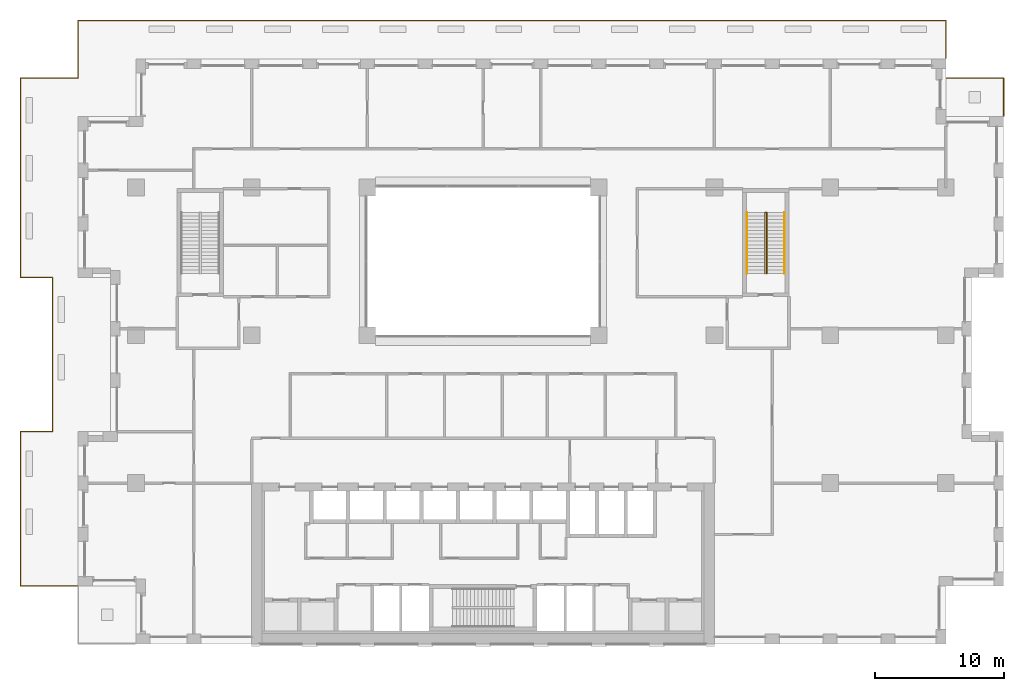
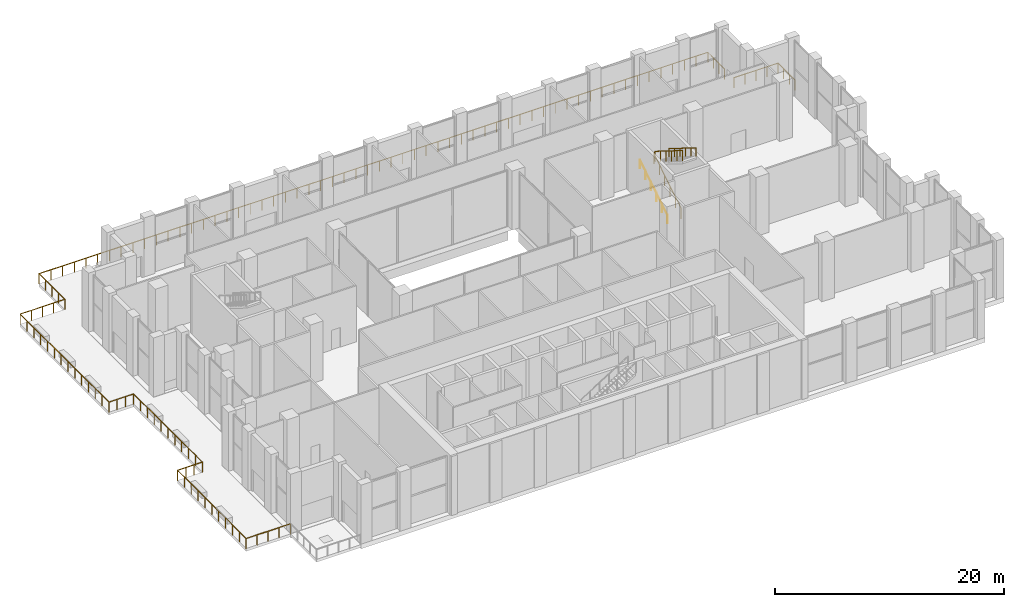
# One storey, part 20 of 21: 5 railings.
"""IFC4 building model written with IfcOpenShell, lengths in metres."""

from ifc_helpers import new_model, si_unit, direction, frame, origin, origin_2d, place, context, subcontext, project, spatial, circle, extrude, material, type_object, element, save


model = new_model("IFC4")

# Units and contexts
model_context = context("Model", 3, precision=1e-05, world=origin(), true_north=direction((0.0, 1.0)))
body_context = subcontext(model_context, "Body", "Model", "MODEL_VIEW")
ifc_project = project(units=[si_unit("LENGTHUNIT", "METRE"), si_unit("AREAUNIT", "SQUARE_METRE"), si_unit("VOLUMEUNIT", "CUBIC_METRE"), si_unit("PLANEANGLEUNIT", "RADIAN"), si_unit("MASSUNIT", "GRAM", prefix="KILO")], contexts=[model_context])

# Site, building, storey
site_placement = place(None, origin())
site = spatial("IfcSite", under=ifc_project, at=site_placement, CompositionType="ELEMENT")
building_placement = place(site_placement, origin())
building = spatial("IfcBuilding", under=site, at=building_placement, Name="Brigalow Station Residences", CompositionType="ELEMENT")
storey_placement = place(building_placement, frame((0.0, 0.0, 77.25)))
storey = spatial("IfcBuildingStorey", under=building, at=storey_placement, Name="L22", CompositionType="ELEMENT", Elevation=77.25)

# Railings
ifc_material_1 = material(Name="Stainless steel balustrade with laminated glass infill", Category="steel")
railing_type_1 = type_object("IfcRailingType", Name="BALCONY GUARD 1100", PredefinedType="GUARDRAIL", material=ifc_material_1)
railing_1_placement = place(storey_placement, frame((72.0, 45.550048828125, -0.0400390625)))
element("IfcRailing", 1, at=railing_1_placement, inside=storey, type_object=railing_type_1, Name="L22/terrace-guard/1-1", PredefinedType="GUARDRAIL", context=body_context, shape_type="SweptSolid", body=[
    extrude(circle(Radius=0.02392578125, at=origin_2d()), frame((0.0, 0.0, 1.076171875), z_axis=(0.0, 1.0, 0.0), x_axis=(-1.0, 0.0, 0.0)), (0.0, 0.0, 1.0), 2.949951171875),
    extrude(circle(Radius=0.02392578125, at=origin_2d()), frame((0.0, 2.949951171875, 1.076171875), z_axis=(-1.0, 0.0, 0.0), x_axis=(0.0, -1.0, 0.0)), (0.0, 0.0, 1.0), 67.5),
    extrude(circle(Radius=0.02392578125, at=origin_2d()), frame((-67.5, 2.949951171875, 1.076171875), z_axis=(0.0, -1.0, 0.0), x_axis=(1.0, 0.0, 0.0)), (0.0, 0.0, 1.0), 4.5),
    extrude(circle(Radius=0.02392578125, at=origin_2d()), frame((-67.5, -1.550048828125, 1.076171875), z_axis=(-1.0, 0.0, 0.0), x_axis=(0.0, -1.0, 0.0)), (0.0, 0.0, 1.0), 4.5),
    extrude(circle(Radius=0.02392578125, at=origin_2d()), frame((-72.0, -1.550048828125, 1.076171875), z_axis=(0.0, -1.0, 0.0), x_axis=(1.0, 0.0, 0.0)), (0.0, 0.0, 1.0), 15.5),
    extrude(circle(Radius=0.02392578125, at=origin_2d()), frame((-72.0, -17.050048828125, 1.076171875), z_axis=(1.0, 0.0, 0.0), x_axis=(0.0, 1.0, 0.0)), (0.0, 0.0, 1.0), 2.5),
    extrude(circle(Radius=0.02392578125, at=origin_2d()), frame((-69.5, -17.050048828125, 1.076171875), z_axis=(0.0, -1.0, 0.0), x_axis=(1.0, 0.0, 0.0)), (0.0, 0.0, 1.0), 12.0),
    extrude(circle(Radius=0.02392578125, at=origin_2d()), frame((-69.5, -29.050048828125, 1.076171875), z_axis=(-1.0, 0.0, 0.0), x_axis=(0.0, -1.0, 0.0)), (0.0, 0.0, 1.0), 2.5),
    extrude(circle(Radius=0.02392578125, at=origin_2d()), frame((-72.0, -29.050048828125, 1.076171875), z_axis=(0.0, -1.0, 0.0), x_axis=(1.0, 0.0, 0.0)), (0.0, 0.0, 1.0), 12.0),
    extrude(circle(Radius=0.02392578125, at=origin_2d()), frame((-72.0, -41.050048828125, 1.076171875), z_axis=(1.0, 0.0, 0.0), x_axis=(0.0, 1.0, 0.0)), (0.0, 0.0, 1.0), 4.449951171875),
    extrude(circle(Radius=0.02099609375, at=origin_2d()), origin(), (0.0, 0.0, 1.0), 1.052001953125),
    extrude(circle(Radius=0.02099609375, at=origin_2d()), frame((0.0, 0.9833984375, 0.0)), (0.0, 0.0, 1.0), 1.052001953125),
    extrude(circle(Radius=0.02099609375, at=origin_2d()), frame((0.0, 1.966552734375, 0.0)), (0.0, 0.0, 1.0), 1.052001953125),
    extrude(circle(Radius=0.02099609375, at=origin_2d()), frame((0.0, 2.949951171875, 0.0)), (0.0, 0.0, 1.0), 1.052001953125),
    extrude(circle(Radius=0.02099609375, at=origin_2d()), frame((-1.184326171875, 2.949951171875, 0.0)), (0.0, 0.0, 1.0), 1.052001953125),
    extrude(circle(Radius=0.02099609375, at=origin_2d()), frame((-2.368408203125, 2.949951171875, 0.0)), (0.0, 0.0, 1.0), 1.052001953125),
    extrude(circle(Radius=0.02099609375, at=origin_2d()), frame((-3.552734375, 2.949951171875, 0.0)), (0.0, 0.0, 1.0), 1.052001953125),
    extrude(circle(Radius=0.02099609375, at=origin_2d()), frame((-4.73681640625, 2.949951171875, 0.0)), (0.0, 0.0, 1.0), 1.052001953125),
    extrude(circle(Radius=0.02099609375, at=origin_2d()), frame((-5.921142578125, 2.949951171875, 0.0)), (0.0, 0.0, 1.0), 1.052001953125),
    extrude(circle(Radius=0.02099609375, at=origin_2d()), frame((-7.105224609375, 2.949951171875, 0.0)), (0.0, 0.0, 1.0), 1.052001953125),
    extrude(circle(Radius=0.02099609375, at=origin_2d()), frame((-8.28955078125, 2.949951171875, 0.0)), (0.0, 0.0, 1.0), 1.052001953125),
    extrude(circle(Radius=0.02099609375, at=origin_2d()), frame((-9.4736328125, 2.949951171875, 0.0)), (0.0, 0.0, 1.0), 1.052001953125),
    extrude(circle(Radius=0.02099609375, at=origin_2d()), frame((-10.657958984375, 2.949951171875, 0.0)), (0.0, 0.0, 1.0), 1.052001953125),
    extrude(circle(Radius=0.02099609375, at=origin_2d()), frame((-11.842041015625, 2.949951171875, 0.0)), (0.0, 0.0, 1.0), 1.052001953125),
    extrude(circle(Radius=0.02099609375, at=origin_2d()), frame((-13.0263671875, 2.949951171875, 0.0)), (0.0, 0.0, 1.0), 1.052001953125),
    extrude(circle(Radius=0.02099609375, at=origin_2d()), frame((-14.21044921875, 2.949951171875, 0.0)), (0.0, 0.0, 1.0), 1.052001953125),
    extrude(circle(Radius=0.02099609375, at=origin_2d()), frame((-15.394775390625, 2.949951171875, 0.0)), (0.0, 0.0, 1.0), 1.052001953125),
    extrude(circle(Radius=0.02099609375, at=origin_2d()), frame((-16.578857421875, 2.949951171875, 0.0)), (0.0, 0.0, 1.0), 1.052001953125),
    extrude(circle(Radius=0.02099609375, at=origin_2d()), frame((-17.76318359375, 2.949951171875, 0.0)), (0.0, 0.0, 1.0), 1.052001953125),
    extrude(circle(Radius=0.02099609375, at=origin_2d()), frame((-18.947265625, 2.949951171875, 0.0)), (0.0, 0.0, 1.0), 1.052001953125),
    extrude(circle(Radius=0.02099609375, at=origin_2d()), frame((-20.131591796875, 2.949951171875, 0.0)), (0.0, 0.0, 1.0), 1.052001953125),
    extrude(circle(Radius=0.02099609375, at=origin_2d()), frame((-21.315673828125, 2.949951171875, 0.0)), (0.0, 0.0, 1.0), 1.052001953125),
    extrude(circle(Radius=0.02099609375, at=origin_2d()), frame((-22.5, 2.949951171875, 0.0)), (0.0, 0.0, 1.0), 1.052001953125),
    extrude(circle(Radius=0.02099609375, at=origin_2d()), frame((-23.684326171875, 2.949951171875, 0.0)), (0.0, 0.0, 1.0), 1.052001953125),
    extrude(circle(Radius=0.02099609375, at=origin_2d()), frame((-24.868408203125, 2.949951171875, 0.0)), (0.0, 0.0, 1.0), 1.052001953125),
    extrude(circle(Radius=0.02099609375, at=origin_2d()), frame((-26.052734375, 2.949951171875, 0.0)), (0.0, 0.0, 1.0), 1.052001953125),
    extrude(circle(Radius=0.02099609375, at=origin_2d()), frame((-27.23681640625, 2.949951171875, 0.0)), (0.0, 0.0, 1.0), 1.052001953125),
    extrude(circle(Radius=0.02099609375, at=origin_2d()), frame((-28.421142578125, 2.949951171875, 0.0)), (0.0, 0.0, 1.0), 1.052001953125),
    extrude(circle(Radius=0.02099609375, at=origin_2d()), frame((-29.605224609375, 2.949951171875, 0.0)), (0.0, 0.0, 1.0), 1.052001953125),
    extrude(circle(Radius=0.02099609375, at=origin_2d()), frame((-30.78955078125, 2.949951171875, 0.0)), (0.0, 0.0, 1.0), 1.052001953125),
    extrude(circle(Radius=0.02099609375, at=origin_2d()), frame((-31.9736328125, 2.949951171875, 0.0)), (0.0, 0.0, 1.0), 1.052001953125),
    extrude(circle(Radius=0.02099609375, at=origin_2d()), frame((-33.157958984375, 2.949951171875, 0.0)), (0.0, 0.0, 1.0), 1.052001953125),
    extrude(circle(Radius=0.02099609375, at=origin_2d()), frame((-34.342041015625, 2.949951171875, 0.0)), (0.0, 0.0, 1.0), 1.052001953125),
    extrude(circle(Radius=0.02099609375, at=origin_2d()), frame((-35.5263671875, 2.949951171875, 0.0)), (0.0, 0.0, 1.0), 1.052001953125),
    extrude(circle(Radius=0.02099609375, at=origin_2d()), frame((-36.71044921875, 2.949951171875, 0.0)), (0.0, 0.0, 1.0), 1.052001953125),
    extrude(circle(Radius=0.02099609375, at=origin_2d()), frame((-37.894775390625, 2.949951171875, 0.0)), (0.0, 0.0, 1.0), 1.052001953125),
    extrude(circle(Radius=0.02099609375, at=origin_2d()), frame((-39.078857421875, 2.949951171875, 0.0)), (0.0, 0.0, 1.0), 1.052001953125),
    extrude(circle(Radius=0.02099609375, at=origin_2d()), frame((-40.26318359375, 2.949951171875, 0.0)), (0.0, 0.0, 1.0), 1.052001953125),
    extrude(circle(Radius=0.02099609375, at=origin_2d()), frame((-41.447265625, 2.949951171875, 0.0)), (0.0, 0.0, 1.0), 1.052001953125),
    extrude(circle(Radius=0.02099609375, at=origin_2d()), frame((-42.631591796875, 2.949951171875, 0.0)), (0.0, 0.0, 1.0), 1.052001953125),
    extrude(circle(Radius=0.02099609375, at=origin_2d()), frame((-43.815673828125, 2.949951171875, 0.0)), (0.0, 0.0, 1.0), 1.052001953125),
    extrude(circle(Radius=0.02099609375, at=origin_2d()), frame((-45.0, 2.949951171875, 0.0)), (0.0, 0.0, 1.0), 1.052001953125),
    extrude(circle(Radius=0.02099609375, at=origin_2d()), frame((-46.184326171875, 2.949951171875, 0.0)), (0.0, 0.0, 1.0), 1.052001953125),
    extrude(circle(Radius=0.02099609375, at=origin_2d()), frame((-47.368408203125, 2.949951171875, 0.0)), (0.0, 0.0, 1.0), 1.052001953125),
    extrude(circle(Radius=0.02099609375, at=origin_2d()), frame((-48.552734375, 2.949951171875, 0.0)), (0.0, 0.0, 1.0), 1.052001953125),
    extrude(circle(Radius=0.02099609375, at=origin_2d()), frame((-49.73681640625, 2.949951171875, 0.0)), (0.0, 0.0, 1.0), 1.052001953125),
    extrude(circle(Radius=0.02099609375, at=origin_2d()), frame((-50.921142578125, 2.949951171875, 0.0)), (0.0, 0.0, 1.0), 1.052001953125),
    extrude(circle(Radius=0.02099609375, at=origin_2d()), frame((-52.105224609375, 2.949951171875, 0.0)), (0.0, 0.0, 1.0), 1.052001953125),
    extrude(circle(Radius=0.02099609375, at=origin_2d()), frame((-53.28955078125, 2.949951171875, 0.0)), (0.0, 0.0, 1.0), 1.052001953125),
    extrude(circle(Radius=0.02099609375, at=origin_2d()), frame((-54.4736328125, 2.949951171875, 0.0)), (0.0, 0.0, 1.0), 1.052001953125),
    extrude(circle(Radius=0.02099609375, at=origin_2d()), frame((-55.657958984375, 2.949951171875, 0.0)), (0.0, 0.0, 1.0), 1.052001953125),
    extrude(circle(Radius=0.02099609375, at=origin_2d()), frame((-56.842041015625, 2.949951171875, 0.0)), (0.0, 0.0, 1.0), 1.052001953125),
    extrude(circle(Radius=0.02099609375, at=origin_2d()), frame((-58.0263671875, 2.949951171875, 0.0)), (0.0, 0.0, 1.0), 1.052001953125),
    extrude(circle(Radius=0.02099609375, at=origin_2d()), frame((-59.21044921875, 2.949951171875, 0.0)), (0.0, 0.0, 1.0), 1.052001953125),
    extrude(circle(Radius=0.02099609375, at=origin_2d()), frame((-60.394775390625, 2.949951171875, 0.0)), (0.0, 0.0, 1.0), 1.052001953125),
    extrude(circle(Radius=0.02099609375, at=origin_2d()), frame((-61.578857421875, 2.949951171875, 0.0)), (0.0, 0.0, 1.0), 1.052001953125),
    extrude(circle(Radius=0.02099609375, at=origin_2d()), frame((-62.76318359375, 2.949951171875, 0.0)), (0.0, 0.0, 1.0), 1.052001953125),
    extrude(circle(Radius=0.02099609375, at=origin_2d()), frame((-63.947265625, 2.949951171875, 0.0)), (0.0, 0.0, 1.0), 1.052001953125),
    extrude(circle(Radius=0.02099609375, at=origin_2d()), frame((-65.131591796875, 2.949951171875, 0.0)), (0.0, 0.0, 1.0), 1.052001953125),
    extrude(circle(Radius=0.02099609375, at=origin_2d()), frame((-66.315673828125, 2.949951171875, 0.0)), (0.0, 0.0, 1.0), 1.052001953125),
    extrude(circle(Radius=0.02099609375, at=origin_2d()), frame((-67.5, 2.949951171875, 0.0)), (0.0, 0.0, 1.0), 1.052001953125),
    extrude(circle(Radius=0.02099609375, at=origin_2d()), frame((-67.5, 1.824951171875, 0.0)), (0.0, 0.0, 1.0), 1.052001953125),
    extrude(circle(Radius=0.02099609375, at=origin_2d()), frame((-67.5, 0.699951171875, 0.0)), (0.0, 0.0, 1.0), 1.052001953125),
    extrude(circle(Radius=0.02099609375, at=origin_2d()), frame((-67.5, -0.425048828125, 0.0)), (0.0, 0.0, 1.0), 1.052001953125),
    extrude(circle(Radius=0.02099609375, at=origin_2d()), frame((-67.5, -1.550048828125, 0.0)), (0.0, 0.0, 1.0), 1.052001953125),
    extrude(circle(Radius=0.02099609375, at=origin_2d()), frame((-68.625, -1.550048828125, 0.0)), (0.0, 0.0, 1.0), 1.052001953125),
    extrude(circle(Radius=0.02099609375, at=origin_2d()), frame((-69.75, -1.550048828125, 0.0)), (0.0, 0.0, 1.0), 1.052001953125),
    extrude(circle(Radius=0.02099609375, at=origin_2d()), frame((-70.875, -1.550048828125, 0.0)), (0.0, 0.0, 1.0), 1.052001953125),
    extrude(circle(Radius=0.02099609375, at=origin_2d()), frame((-72.0, -1.550048828125, 0.0)), (0.0, 0.0, 1.0), 1.052001953125),
    extrude(circle(Radius=0.02099609375, at=origin_2d()), frame((-72.0, -2.742431640625, 0.0)), (0.0, 0.0, 1.0), 1.052001953125),
    extrude(circle(Radius=0.02099609375, at=origin_2d()), frame((-72.0, -3.9345703125, 0.0)), (0.0, 0.0, 1.0), 1.052001953125),
    extrude(circle(Radius=0.02099609375, at=origin_2d()), frame((-72.0, -5.126953125, 0.0)), (0.0, 0.0, 1.0), 1.052001953125),
    extrude(circle(Radius=0.02099609375, at=origin_2d()), frame((-72.0, -6.3193359375, 0.0)), (0.0, 0.0, 1.0), 1.052001953125),
    extrude(circle(Radius=0.02099609375, at=origin_2d()), frame((-72.0, -7.511474609375, 0.0)), (0.0, 0.0, 1.0), 1.052001953125),
    extrude(circle(Radius=0.02099609375, at=origin_2d()), frame((-72.0, -8.703857421875, 0.0)), (0.0, 0.0, 1.0), 1.052001953125),
    extrude(circle(Radius=0.02099609375, at=origin_2d()), frame((-72.0, -9.896240234375, 0.0)), (0.0, 0.0, 1.0), 1.052001953125),
    extrude(circle(Radius=0.02099609375, at=origin_2d()), frame((-72.0, -11.088623046875, 0.0)), (0.0, 0.0, 1.0), 1.052001953125),
    extrude(circle(Radius=0.02099609375, at=origin_2d()), frame((-72.0, -12.28076171875, 0.0)), (0.0, 0.0, 1.0), 1.052001953125),
    extrude(circle(Radius=0.02099609375, at=origin_2d()), frame((-72.0, -13.47314453125, 0.0)), (0.0, 0.0, 1.0), 1.052001953125),
    extrude(circle(Radius=0.02099609375, at=origin_2d()), frame((-72.0, -14.66552734375, 0.0)), (0.0, 0.0, 1.0), 1.052001953125),
    extrude(circle(Radius=0.02099609375, at=origin_2d()), frame((-72.0, -15.857666015625, 0.0)), (0.0, 0.0, 1.0), 1.052001953125),
    extrude(circle(Radius=0.02099609375, at=origin_2d()), frame((-72.0, -17.050048828125, 0.0)), (0.0, 0.0, 1.0), 1.052001953125),
    extrude(circle(Radius=0.02099609375, at=origin_2d()), frame((-71.166748046875, -17.050048828125, 0.0)), (0.0, 0.0, 1.0), 1.052001953125),
    extrude(circle(Radius=0.02099609375, at=origin_2d()), frame((-70.333251953125, -17.050048828125, 0.0)), (0.0, 0.0, 1.0), 1.052001953125),
    extrude(circle(Radius=0.02099609375, at=origin_2d()), frame((-69.5, -17.050048828125, 0.0)), (0.0, 0.0, 1.0), 1.052001953125),
    extrude(circle(Radius=0.02099609375, at=origin_2d()), frame((-69.5, -18.25, 0.0)), (0.0, 0.0, 1.0), 1.052001953125),
    extrude(circle(Radius=0.02099609375, at=origin_2d()), frame((-69.5, -19.449951171875, 0.0)), (0.0, 0.0, 1.0), 1.052001953125),
    extrude(circle(Radius=0.02099609375, at=origin_2d()), frame((-69.5, -20.650146484375, 0.0)), (0.0, 0.0, 1.0), 1.052001953125),
    extrude(circle(Radius=0.02099609375, at=origin_2d()), frame((-69.5, -21.85009765625, 0.0)), (0.0, 0.0, 1.0), 1.052001953125),
    extrude(circle(Radius=0.02099609375, at=origin_2d()), frame((-69.5, -23.050048828125, 0.0)), (0.0, 0.0, 1.0), 1.052001953125),
    extrude(circle(Radius=0.02099609375, at=origin_2d()), frame((-69.5, -24.25, 0.0)), (0.0, 0.0, 1.0), 1.052001953125),
    extrude(circle(Radius=0.02099609375, at=origin_2d()), frame((-69.5, -25.449951171875, 0.0)), (0.0, 0.0, 1.0), 1.052001953125),
    extrude(circle(Radius=0.02099609375, at=origin_2d()), frame((-69.5, -26.650146484375, 0.0)), (0.0, 0.0, 1.0), 1.052001953125),
    extrude(circle(Radius=0.02099609375, at=origin_2d()), frame((-69.5, -27.85009765625, 0.0)), (0.0, 0.0, 1.0), 1.052001953125),
    extrude(circle(Radius=0.02099609375, at=origin_2d()), frame((-69.5, -29.050048828125, 0.0)), (0.0, 0.0, 1.0), 1.052001953125),
    extrude(circle(Radius=0.02099609375, at=origin_2d()), frame((-70.333251953125, -29.050048828125, 0.0)), (0.0, 0.0, 1.0), 1.052001953125),
    extrude(circle(Radius=0.02099609375, at=origin_2d()), frame((-71.166748046875, -29.050048828125, 0.0)), (0.0, 0.0, 1.0), 1.052001953125),
    extrude(circle(Radius=0.02099609375, at=origin_2d()), frame((-72.0, -29.050048828125, 0.0)), (0.0, 0.0, 1.0), 1.052001953125),
    extrude(circle(Radius=0.02099609375, at=origin_2d()), frame((-72.0, -30.25, 0.0)), (0.0, 0.0, 1.0), 1.052001953125),
    extrude(circle(Radius=0.02099609375, at=origin_2d()), frame((-72.0, -31.449951171875, 0.0)), (0.0, 0.0, 1.0), 1.052001953125),
    extrude(circle(Radius=0.02099609375, at=origin_2d()), frame((-72.0, -32.650146484375, 0.0)), (0.0, 0.0, 1.0), 1.052001953125),
    extrude(circle(Radius=0.02099609375, at=origin_2d()), frame((-72.0, -33.85009765625, 0.0)), (0.0, 0.0, 1.0), 1.052001953125),
    extrude(circle(Radius=0.02099609375, at=origin_2d()), frame((-72.0, -35.050048828125, 0.0)), (0.0, 0.0, 1.0), 1.052001953125),
    extrude(circle(Radius=0.02099609375, at=origin_2d()), frame((-72.0, -36.25, 0.0)), (0.0, 0.0, 1.0), 1.052001953125),
    extrude(circle(Radius=0.02099609375, at=origin_2d()), frame((-72.0, -37.449951171875, 0.0)), (0.0, 0.0, 1.0), 1.052001953125),
    extrude(circle(Radius=0.02099609375, at=origin_2d()), frame((-72.0, -38.650146484375, 0.0)), (0.0, 0.0, 1.0), 1.052001953125),
    extrude(circle(Radius=0.02099609375, at=origin_2d()), frame((-72.0, -39.85009765625, 0.0)), (0.0, 0.0, 1.0), 1.052001953125),
    extrude(circle(Radius=0.02099609375, at=origin_2d()), frame((-72.0, -41.050048828125, 0.0)), (0.0, 0.0, 1.0), 1.052001953125),
    extrude(circle(Radius=0.02099609375, at=origin_2d()), frame((-70.887451171875, -41.050048828125, 0.0)), (0.0, 0.0, 1.0), 1.052001953125),
    extrude(circle(Radius=0.02099609375, at=origin_2d()), frame((-69.77490234375, -41.050048828125, 0.0)), (0.0, 0.0, 1.0), 1.052001953125),
    extrude(circle(Radius=0.02099609375, at=origin_2d()), frame((-68.66259765625, -41.050048828125, 0.0)), (0.0, 0.0, 1.0), 1.052001953125),
    extrude(circle(Radius=0.02099609375, at=origin_2d()), frame((-67.550048828125, -41.050048828125, 0.0)), (0.0, 0.0, 1.0), 1.052001953125),
])
railing_2_placement = place(storey_placement, frame((76.5, 41.050048828125, -0.0400390625)))
element("IfcRailing", 2, at=railing_2_placement, inside=storey, type_object=railing_type_1, Name="L22/terrace-guard/3-1", PredefinedType="GUARDRAIL", context=body_context, shape_type="SweptSolid", body=[
    extrude(circle(Radius=0.02392578125, at=origin_2d()), frame((0.0, 0.0, 1.076171875), z_axis=(0.0, 1.0, 0.0), x_axis=(-1.0, 0.0, 0.0)), (0.0, 0.0, 1.0), 2.949951171875),
    extrude(circle(Radius=0.02392578125, at=origin_2d()), frame((0.0, 2.949951171875, 1.076171875), z_axis=(-1.0, 0.0, 0.0), x_axis=(0.0, -1.0, 0.0)), (0.0, 0.0, 1.0), 4.449951171875),
    extrude(circle(Radius=0.02099609375, at=origin_2d()), origin(), (0.0, 0.0, 1.0), 1.052001953125),
    extrude(circle(Radius=0.02099609375, at=origin_2d()), frame((0.0, 0.9833984375, 0.0)), (0.0, 0.0, 1.0), 1.052001953125),
    extrude(circle(Radius=0.02099609375, at=origin_2d()), frame((0.0, 1.966552734375, 0.0)), (0.0, 0.0, 1.0), 1.052001953125),
    extrude(circle(Radius=0.02099609375, at=origin_2d()), frame((0.0, 2.949951171875, 0.0)), (0.0, 0.0, 1.0), 1.052001953125),
    extrude(circle(Radius=0.02099609375, at=origin_2d()), frame((-1.112548828125, 2.949951171875, 0.0)), (0.0, 0.0, 1.0), 1.052001953125),
    extrude(circle(Radius=0.02099609375, at=origin_2d()), frame((-2.22509765625, 2.949951171875, 0.0)), (0.0, 0.0, 1.0), 1.052001953125),
    extrude(circle(Radius=0.02099609375, at=origin_2d()), frame((-3.33740234375, 2.949951171875, 0.0)), (0.0, 0.0, 1.0), 1.052001953125),
    extrude(circle(Radius=0.02099609375, at=origin_2d()), frame((-4.449951171875, 2.949951171875, 0.0)), (0.0, 0.0, 1.0), 1.052001953125),
])
ifc_material_2 = material(Name="Stainless steel balustrade", Category="steel")
railing_type_2 = type_object("IfcRailingType", Name="STAIR GUARD 1100", PredefinedType="GUARDRAIL", material=ifc_material_2)
railing_3_placement = place(storey_placement, frame((57.929931640625, 28.800048828125, 0.175048828125)))
element("IfcRailing", 3, at=railing_3_placement, inside=storey, type_object=railing_type_2, Name="GUARD GR-3", PredefinedType="GUARDRAIL", context=body_context, shape_type="SweptSolid", body=[
    extrude(circle(Radius=0.02392578125, at=origin_2d()), frame((0.0, 0.0, 1.076171875), z_axis=(0.0, 0.848010521311, 0.529979391813), x_axis=(-1.0, 0.0, 0.0)), (0.0, 0.0, 1.0), 5.613037109375),
    extrude(circle(Radius=0.02392578125, at=origin_2d()), frame((0.0, 4.760009765625, 4.05078125), z_axis=(0.624960567888, 0.0, 0.780656319122), x_axis=(0.0, 1.0, 0.0)), (0.0, 0.0, 1.0), 0.22412109375),
    extrude(circle(Radius=0.02392578125, at=origin_2d()), frame((0.14013671875, 4.760009765625, 4.22607421875), z_axis=(0.0, -0.847990973574, 0.530010668512), x_axis=(1.0, 0.0, 0.0)), (0.0, 0.0, 1.0), 5.61328125),
    extrude(circle(Radius=0.02099609375, at=origin_2d()), origin(), (0.0, 0.0, 1.0), 1.052001953125),
    extrude(circle(Radius=0.02099609375, at=origin_2d()), frame((0.0, 0.951904296875, 0.594970703125)), (0.0, 0.0, 1.0), 1.052001953125),
    extrude(circle(Radius=0.02099609375, at=origin_2d()), frame((0.0, 1.904052734375, 1.18994140625)), (0.0, 0.0, 1.0), 1.052001953125),
    extrude(circle(Radius=0.02099609375, at=origin_2d()), frame((0.0, 2.85595703125, 1.784912109375)), (0.0, 0.0, 1.0), 1.052001953125),
    extrude(circle(Radius=0.02099609375, at=origin_2d()), frame((0.0, 3.80810546875, 2.3798828125)), (0.0, 0.0, 1.0), 1.052001953125),
    extrude(circle(Radius=0.02099609375, at=origin_2d()), frame((0.0, 4.760009765625, 2.974853515625)), (0.0, 0.0, 1.0), 1.052001953125),
    extrude(circle(Radius=0.02099609375, at=origin_2d()), frame((0.14013671875, 4.760009765625, 3.14990234375)), (0.0, 0.0, 1.0), 1.052001953125),
    extrude(circle(Radius=0.02099609375, at=origin_2d()), frame((0.14013671875, 3.80810546875, 3.744873046875)), (0.0, 0.0, 1.0), 1.052001953125),
    extrude(circle(Radius=0.02099609375, at=origin_2d()), frame((0.14013671875, 2.85595703125, 4.33984375)), (0.0, 0.0, 1.0), 1.052001953125),
    extrude(circle(Radius=0.02099609375, at=origin_2d()), frame((0.14013671875, 1.904052734375, 4.93505859375)), (0.0, 0.0, 1.0), 1.052001953125),
    extrude(circle(Radius=0.02099609375, at=origin_2d()), frame((0.14013671875, 0.951904296875, 5.530029296875)), (0.0, 0.0, 1.0), 1.052001953125),
    extrude(circle(Radius=0.02099609375, at=origin_2d()), frame((0.14013671875, 0.0, 6.125)), (0.0, 0.0, 1.0), 1.052001953125),
])
ifc_material_3 = material(Name="Stainless steel handrail", Category="steel")
railing_type_3 = type_object("IfcRailingType", Name="STAIR HANDRAIL 900", PredefinedType="HANDRAIL", material=ifc_material_3)
railing_4_placement = place(storey_placement, frame((56.5400390625, 28.800048828125, 0.175048828125)))
element("IfcRailing", 4, at=railing_4_placement, inside=storey, type_object=railing_type_3, Name="HANDRAIL HR-31", PredefinedType="HANDRAIL", context=body_context, shape_type="SweptSolid", body=[
    extrude(circle(Radius=0.02392578125, at=origin_2d()), frame((0.0, 0.0, 0.8759765625), z_axis=(0.0, 0.848010521311, 0.529979391813), x_axis=(-1.0, 0.0, 0.0)), (0.0, 0.0, 1.0), 5.613037109375),
    extrude(circle(Radius=0.02099609375, at=origin_2d()), origin(), (0.0, 0.0, 1.0), 0.851806640625),
    extrude(circle(Radius=0.02099609375, at=origin_2d()), frame((0.0, 0.951904296875, 0.594970703125)), (0.0, 0.0, 1.0), 0.851806640625),
    extrude(circle(Radius=0.02099609375, at=origin_2d()), frame((0.0, 1.904052734375, 1.18994140625)), (0.0, 0.0, 1.0), 0.851806640625),
    extrude(circle(Radius=0.02099609375, at=origin_2d()), frame((0.0, 2.85595703125, 1.784912109375)), (0.0, 0.0, 1.0), 0.851806640625),
    extrude(circle(Radius=0.02099609375, at=origin_2d()), frame((0.0, 3.80810546875, 2.3798828125)), (0.0, 0.0, 1.0), 0.851806640625),
    extrude(circle(Radius=0.02099609375, at=origin_2d()), frame((0.0, 4.760009765625, 2.974853515625)), (0.0, 0.0, 1.0), 0.851806640625),
])
railing_5_placement = place(storey_placement, frame((59.4599609375, 33.56005859375, 3.324951171875)))
element("IfcRailing", 5, at=railing_5_placement, inside=storey, type_object=railing_type_3, Name="HANDRAIL HR-32", PredefinedType="HANDRAIL", context=body_context, shape_type="SweptSolid", body=[
    extrude(circle(Radius=0.02392578125, at=origin_2d()), frame((0.0, 0.0, 0.8759765625), z_axis=(0.0, -0.847990973574, 0.530010668512), x_axis=(1.0, 0.0, 0.0)), (0.0, 0.0, 1.0), 5.61328125),
    extrude(circle(Radius=0.02099609375, at=origin_2d()), origin(), (0.0, 0.0, 1.0), 0.851806640625),
    extrude(circle(Radius=0.02099609375, at=origin_2d()), frame((0.0, -0.951904296875, 0.594970703125)), (0.0, 0.0, 1.0), 0.851806640625),
    extrude(circle(Radius=0.02099609375, at=origin_2d()), frame((0.0, -1.904052734375, 1.18994140625)), (0.0, 0.0, 1.0), 0.851806640625),
    extrude(circle(Radius=0.02099609375, at=origin_2d()), frame((0.0, -2.85595703125, 1.78515625)), (0.0, 0.0, 1.0), 0.851806640625),
    extrude(circle(Radius=0.02099609375, at=origin_2d()), frame((0.0, -3.80810546875, 2.380126953125)), (0.0, 0.0, 1.0), 0.851806640625),
    extrude(circle(Radius=0.02099609375, at=origin_2d()), frame((0.0, -4.760009765625, 2.97509765625)), (0.0, 0.0, 1.0), 0.851806640625),
])

save(model, "model.ifc")
